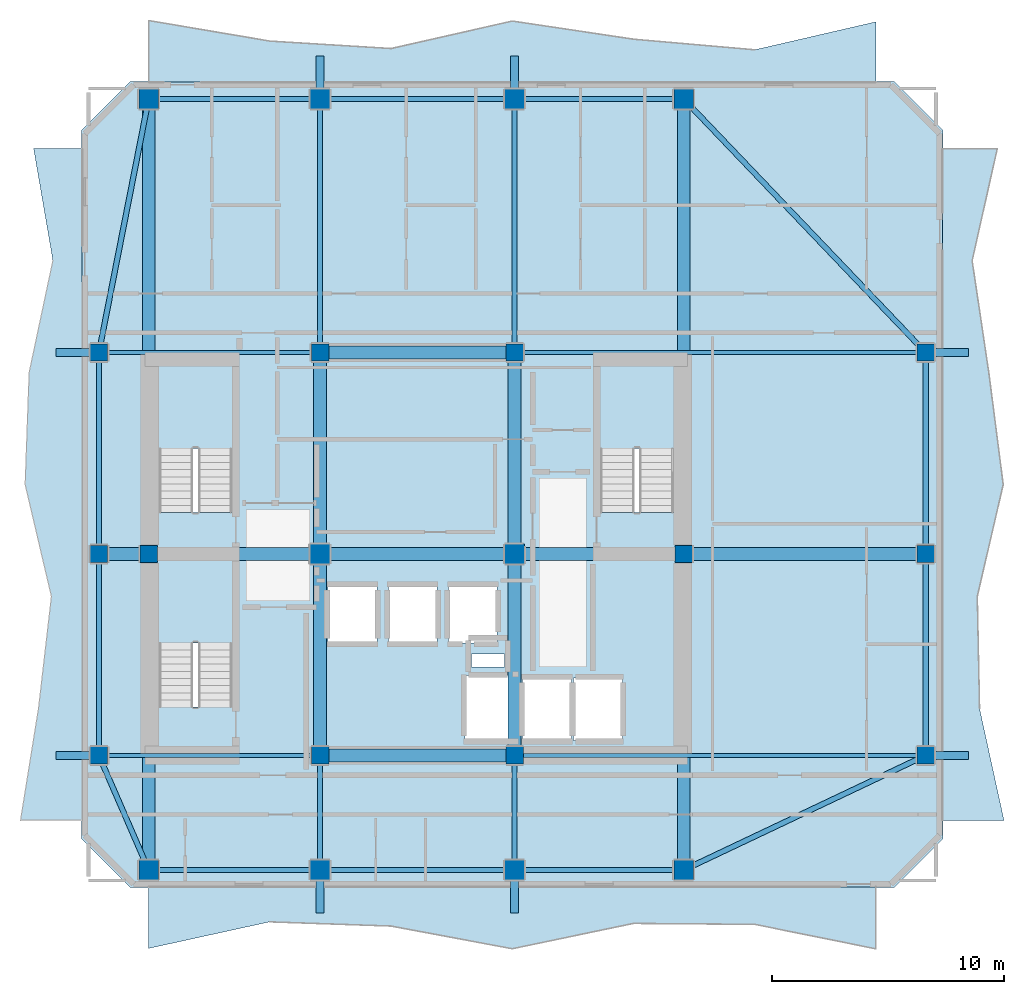
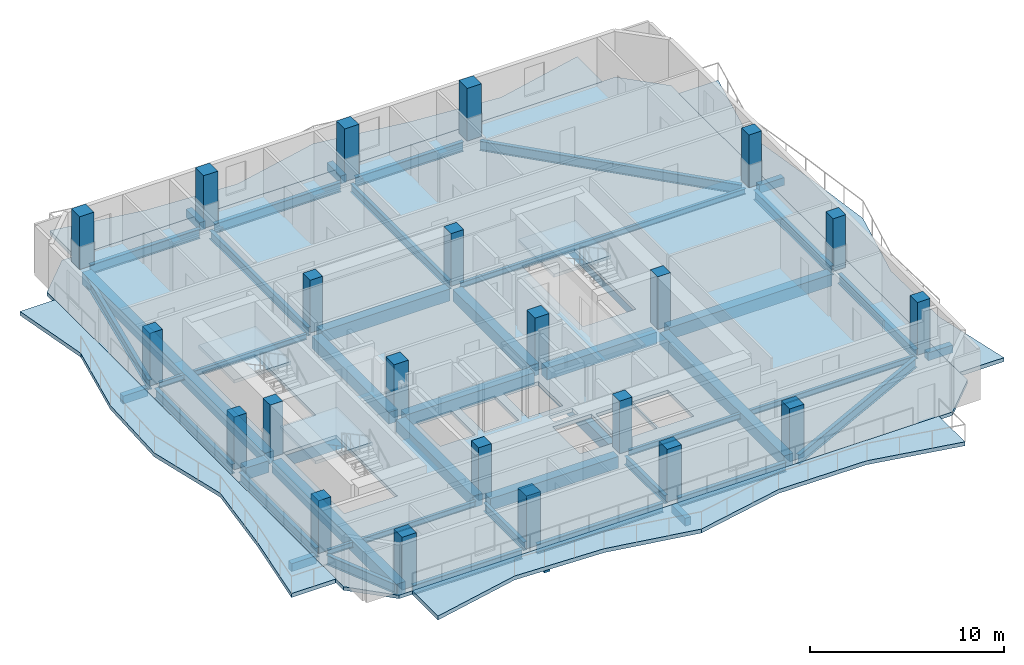
# One storey, part 1 of 9: 45 beams, 22 columns, 8 slabs, 3 elements without a shape of their own.
"""IFC4 building model written with IfcOpenShell, lengths in metres."""

from ifc_helpers import new_model, si_unit, direction, frame, origin, origin_2d, place, context, subcontext, project, spatial, polyline, rectangle, i_section, outline, extrude, material, layer, layer_set, material_profile, profile_set, type_object, element, aggregate, save


model = new_model("IFC4")

# Units and contexts
model_context = context("Model", 3, precision=1e-05, world=origin(), true_north=direction((0.0, 1.0)))
body_context = subcontext(model_context, "Body", "Model", "MODEL_VIEW")
ifc_project = project(units=[si_unit("LENGTHUNIT", "METRE"), si_unit("AREAUNIT", "SQUARE_METRE"), si_unit("VOLUMEUNIT", "CUBIC_METRE"), si_unit("PLANEANGLEUNIT", "RADIAN"), si_unit("MASSUNIT", "GRAM", prefix="KILO")], contexts=[model_context])

# Site, building, storey
site_placement = place(None, origin())
site = spatial("IfcSite", under=ifc_project, at=site_placement, CompositionType="ELEMENT")
building_placement = place(site_placement, origin())
building = spatial("IfcBuilding", under=site, at=building_placement, Name="Solanera Arch Residences", CompositionType="ELEMENT")
storey_placement = place(building_placement, frame((0.0, 0.0, 244.56005859375)))
storey = spatial("IfcBuildingStorey", under=building, at=storey_placement, Name="L71", CompositionType="ELEMENT", Elevation=244.56005859375)

# Columns
ifc_material_1 = material(Name="Concrete C40/50 (f'c = 45 MPa)", Category="concrete")
ifc_material_profile_1 = material_profile(ifc_material_1, rectangle(XDim=0.75, YDim=0.75, at=origin_2d()))
ifc_profile_set_1 = profile_set([ifc_material_profile_1], Name="Concrete C40/50 (f'c = 45 MPa)")
column_type_1 = type_object("IfcColumnType", Name="Structural Column RC-COL-750X750", PredefinedType="COLUMN", material=ifc_profile_set_1)
for number, where, z_axis, x_axis, name in (
    (1, (20.800048828125, 22.0, 0.0), (0.0, 0.0, 1.0), (1.0, 0.0, 0.0), "COL-L71-CB-SW"),
    (2, (29.199951171875, 22.0, 0.0), (0.0, 0.0, 1.0), (1.0, 0.0, 0.0), "COL-L71-CB-SE"),
    (3, (20.800048828125, 39.39990234375, 0.0), (0.0, 0.0, 1.0), (1.0, 0.0, 0.0), "COL-L71-CB-NW"),
    (4, (29.199951171875, 39.39990234375, 0.0), (0.0, 0.0, 1.0), (1.0, 0.0, 0.0), "COL-L71-CB-NE"),
    (5, (13.39990234375, 30.699951171875, 0.0), (0.0, 0.0, 1.0), (1.0, 0.0, 0.0), "COL-L71-CB-WW"),
    (6, (36.5, 30.699951171875, 0.0), (0.0, 0.0, 1.0), (1.0, 0.0, 0.0), "COL-L71-CB-EE"),
    (7, (11.25, 22.0, 0.0), (0.0, 0.0, 1.0), (1.0, 0.0, 0.0), "COL-L71-TWR-09"),
    (8, (46.949951171875, 22.0, 0.0), (0.0, 0.0, 1.0), (1.0, 0.0, 0.0), "COL-L71-TWR-10"),
    (9, (11.25, 30.699951171875, 0.0), (0.0, 0.0, 1.0), (1.0, 0.0, 0.0), "COL-L71-TWR-11"),
    (10, (46.949951171875, 30.699951171875, 0.0), (0.0, 0.0, 1.0), (1.0, 0.0, 0.0), "COL-L71-TWR-12"),
    (11, (11.25, 39.39990234375, 0.0), (0.0, 0.0, 1.0), (1.0, 0.0, 0.0), "COL-L71-TWR-13"),
    (12, (46.949951171875, 39.39990234375, 0.0), (0.0, 0.0, 1.0), (1.0, 0.0, 0.0), "COL-L71-TWR-14"),
):
    element("IfcColumn", number, at=place(storey_placement, frame(where, z_axis=z_axis, x_axis=x_axis)), inside=storey, type_object=column_type_1, Name=name, PredefinedType="COLUMN", context=body_context, shape_type="SweptSolid", body=[
        extrude(rectangle(XDim=0.75, YDim=0.75, at=origin_2d()), origin(), (0.0, 0.0, 1.0), 3.31982421875),
    ])
ifc_material_2 = material(Name="Concrete C40/50 (f'c = 45 MPa)", Category="concrete")
ifc_material_profile_2 = material_profile(ifc_material_2, rectangle(XDim=0.85009765625, YDim=0.85009765625, at=origin_2d()))
ifc_profile_set_2 = profile_set([ifc_material_profile_2], Name="Concrete C40/50 (f'c = 45 MPa)")
column_type_2 = type_object("IfcColumnType", Name="Structural Column RC-COL-850X850", PredefinedType="COLUMN", material=ifc_profile_set_2)
for number, where, z_axis, x_axis, name in (
    (13, (20.800048828125, 30.699951171875, 0.0), (0.0, 0.0, 1.0), (1.0, 0.0, 0.0), "COL-L71-CORE-W"),
    (14, (29.199951171875, 30.699951171875, 0.0), (0.0, 0.0, 1.0), (1.0, 0.0, 0.0), "COL-L71-CORE-E"),
    (15, (13.39990234375, 17.050048828125, 0.0), (0.0, 0.0, 1.0), (1.0, 0.0, 0.0), "COL-L71-TWR-01"),
    (16, (13.39990234375, 50.35009765625, 0.0), (0.0, 0.0, 1.0), (1.0, 0.0, 0.0), "COL-L71-TWR-02"),
    (17, (20.800048828125, 17.050048828125, 0.0), (0.0, 0.0, 1.0), (1.0, 0.0, 0.0), "COL-L71-TWR-03"),
    (18, (20.800048828125, 50.35009765625, 0.0), (0.0, 0.0, 1.0), (1.0, 0.0, 0.0), "COL-L71-TWR-04"),
    (19, (29.199951171875, 17.050048828125, 0.0), (0.0, 0.0, 1.0), (1.0, 0.0, 0.0), "COL-L71-TWR-05"),
    (20, (29.199951171875, 50.35009765625, 0.0), (0.0, 0.0, 1.0), (1.0, 0.0, 0.0), "COL-L71-TWR-06"),
    (21, (36.5, 17.050048828125, 0.0), (0.0, 0.0, 1.0), (1.0, 0.0, 0.0), "COL-L71-TWR-07"),
    (22, (36.5, 50.35009765625, 0.0), (0.0, 0.0, 1.0), (1.0, 0.0, 0.0), "COL-L71-TWR-08"),
):
    element("IfcColumn", number, at=place(storey_placement, frame(where, z_axis=z_axis, x_axis=x_axis)), inside=storey, type_object=column_type_2, Name=name, PredefinedType="COLUMN", context=body_context, shape_type="SweptSolid", body=[
        extrude(rectangle(XDim=0.85009765625, YDim=0.85009765625, at=origin_2d()), origin(), (0.0, 0.0, 1.0), 3.31982421875),
    ])

# Beams
ifc_material_3 = material(Name="Concrete C40/50 (f'c = 45 MPa)", Category="concrete")
ifc_material_profile_3 = material_profile(ifc_material_3, rectangle(XDim=0.35009765625, YDim=0.5, at=origin_2d()))
ifc_profile_set_3 = profile_set([ifc_material_profile_3], Name="Concrete C40/50 (f'c = 45 MPa)")
beam_type_1 = type_object("IfcBeamType", Name="BM-BALC-RIB", PredefinedType="BEAM", material=ifc_profile_set_3)
for number, where, z_axis, x_axis, name in (
    (23, (20.800048828125, 15.199951171875, -0.5), (0.0, 1.0, 0.0), (-1.0, 0.0, 0.0), "BM-L71-BRIB-S1"),
    (24, (29.199951171875, 15.199951171875, -0.5), (0.0, 1.0, 0.0), (-1.0, 0.0, 0.0), "BM-L71-BRIB-S2"),
    (25, (20.800048828125, 50.77490234375, -0.5), (0.0, 1.0, 0.0), (-1.0, 0.0, 0.0), "BM-L71-BRIB-N1"),
    (26, (29.199951171875, 50.77490234375, -0.5), (0.0, 1.0, 0.0), (-1.0, 0.0, 0.0), "BM-L71-BRIB-N2"),
):
    element("IfcBeam", number, at=place(storey_placement, frame(where, z_axis=z_axis, x_axis=x_axis)), inside=storey, type_object=beam_type_1, Name=name, PredefinedType="BEAM", context=body_context, shape_type="SweptSolid", body=[
        extrude(rectangle(XDim=0.35009765625, YDim=0.5, at=origin_2d()), origin(), (0.0, 0.0, 1.0), 1.425048828125),
    ])
for number, where, z_axis, x_axis, name in (
    (27, (47.324951171875, 22.0, -0.5), (1.0, 0.0, 0.0), (0.0, 1.0, 0.0), "BM-L71-BRIB-E1"),
    (28, (47.324951171875, 39.39990234375, -0.5), (1.0, 0.0, 0.0), (0.0, 1.0, 0.0), "BM-L71-BRIB-E2"),
    (29, (9.39990234375, 22.0, -0.5), (1.0, 0.0, 0.0), (0.0, 1.0, 0.0), "BM-L71-BRIB-W1"),
    (30, (9.39990234375, 39.39990234375, -0.5), (1.0, 0.0, 0.0), (0.0, 1.0, 0.0), "BM-L71-BRIB-W2"),
):
    element("IfcBeam", number, at=place(storey_placement, frame(where, z_axis=z_axis, x_axis=x_axis)), inside=storey, type_object=beam_type_1, Name=name, PredefinedType="BEAM", context=body_context, shape_type="SweptSolid", body=[
        extrude(rectangle(XDim=0.35009765625, YDim=0.5, at=origin_2d()), origin(), (0.0, 0.0, 1.0), 1.47509765625),
    ])
ifc_material_4 = material(Name="Steel S355 (ASTM A992 / A572 Grade 50)", Category="steel")
ifc_material_profile_4 = material_profile(ifc_material_4, i_section(OverallWidth=0.208984375, OverallDepth=0.532958984375, WebThickness=0.01025390625, FlangeThickness=0.015625, at=origin_2d()))
ifc_profile_set_4 = profile_set([ifc_material_profile_4], Name="Steel S355 (ASTM A992 / A572 Grade 50)")
beam_type_2 = type_object("IfcBeamType", Name="Floor Beam W530X92", PredefinedType="BEAM", material=ifc_profile_set_4)
beam_1_placement = place(storey_placement, frame((20.800048828125, 17.47900390625, -0.487060546875), z_axis=(0.0, 1.0, 0.0), x_axis=(-1.0, 0.0, 0.0)))
element("IfcBeam", 31, at=beam_1_placement, inside=storey, type_object=beam_type_2, Name="BM-L71-RAD-S-208", PredefinedType="BEAM", context=body_context, shape_type="SweptSolid", body=[
    extrude(i_section(OverallWidth=0.208984375, OverallDepth=0.532958984375, WebThickness=0.01025390625, FlangeThickness=0.015625, at=origin_2d()), origin(), (0.0, 0.0, 1.0), 4.14208984375),
])
beam_2_placement = place(storey_placement, frame((20.800048828125, 39.779052734375, -0.487060546875), z_axis=(0.0, 1.0, 0.0), x_axis=(-1.0, 0.0, 0.0)))
element("IfcBeam", 32, at=beam_2_placement, inside=storey, type_object=beam_type_2, Name="BM-L71-RAD-N-208", PredefinedType="BEAM", context=body_context, shape_type="SweptSolid", body=[
    extrude(i_section(OverallWidth=0.208984375, OverallDepth=0.532958984375, WebThickness=0.01025390625, FlangeThickness=0.015625, at=origin_2d()), origin(), (0.0, 0.0, 1.0), 10.141845703125),
])
beam_3_placement = place(storey_placement, frame((29.199951171875, 17.47900390625, -0.487060546875), z_axis=(0.0, 1.0, 0.0), x_axis=(-1.0, 0.0, 0.0)))
element("IfcBeam", 33, at=beam_3_placement, inside=storey, type_object=beam_type_2, Name="BM-L71-RAD-S-292", PredefinedType="BEAM", context=body_context, shape_type="SweptSolid", body=[
    extrude(i_section(OverallWidth=0.208984375, OverallDepth=0.532958984375, WebThickness=0.01025390625, FlangeThickness=0.015625, at=origin_2d()), origin(), (0.0, 0.0, 1.0), 4.14208984375),
])
beam_4_placement = place(storey_placement, frame((29.199951171875, 39.779052734375, -0.487060546875), z_axis=(0.0, 1.0, 0.0), x_axis=(-1.0, 0.0, 0.0)))
element("IfcBeam", 34, at=beam_4_placement, inside=storey, type_object=beam_type_2, Name="BM-L71-RAD-N-292", PredefinedType="BEAM", context=body_context, shape_type="SweptSolid", body=[
    extrude(i_section(OverallWidth=0.208984375, OverallDepth=0.532958984375, WebThickness=0.01025390625, FlangeThickness=0.015625, at=origin_2d()), origin(), (0.0, 0.0, 1.0), 10.141845703125),
])
ifc_material_5 = material(Name="Concrete C40/50 (f'c = 45 MPa)", Category="concrete")
ifc_material_profile_5 = material_profile(ifc_material_5, rectangle(XDim=0.550048828125, YDim=0.75, at=origin_2d()))
ifc_profile_set_5 = profile_set([ifc_material_profile_5], Name="Concrete C40/50 (f'c = 45 MPa)")
beam_type_3 = type_object("IfcBeamType", Name="Primary Beam RC-BM-550X750", PredefinedType="BEAM", material=ifc_profile_set_5)
beam_5_placement = place(storey_placement, frame((20.800048828125, 22.37890625, -0.594970703125), z_axis=(0.0, 1.0, 0.0), x_axis=(-1.0, 0.0, 0.0)))
element("IfcBeam", 35, at=beam_5_placement, inside=storey, type_object=beam_type_3, Name="BM-L71-CC-S-208", PredefinedType="BEAM", context=body_context, shape_type="SweptSolid", body=[
    extrude(rectangle(XDim=0.550048828125, YDim=0.75, at=origin_2d()), origin(), (0.0, 0.0, 1.0), 7.942138671875),
])
beam_6_placement = place(storey_placement, frame((20.800048828125, 31.0791015625, -0.594970703125), z_axis=(0.0, 1.0, 0.0), x_axis=(-1.0, 0.0, 0.0)))
element("IfcBeam", 36, at=beam_6_placement, inside=storey, type_object=beam_type_3, Name="BM-L71-CC-N-208", PredefinedType="BEAM", context=body_context, shape_type="SweptSolid", body=[
    extrude(rectangle(XDim=0.550048828125, YDim=0.75, at=origin_2d()), origin(), (0.0, 0.0, 1.0), 7.94189453125),
])
beam_7_placement = place(storey_placement, frame((29.199951171875, 22.37890625, -0.594970703125), z_axis=(0.0, 1.0, 0.0), x_axis=(-1.0, 0.0, 0.0)))
element("IfcBeam", 37, at=beam_7_placement, inside=storey, type_object=beam_type_3, Name="BM-L71-CC-S-292", PredefinedType="BEAM", context=body_context, shape_type="SweptSolid", body=[
    extrude(rectangle(XDim=0.550048828125, YDim=0.75, at=origin_2d()), origin(), (0.0, 0.0, 1.0), 7.942138671875),
])
beam_8_placement = place(storey_placement, frame((29.199951171875, 31.0791015625, -0.594970703125), z_axis=(0.0, 1.0, 0.0), x_axis=(-1.0, 0.0, 0.0)))
element("IfcBeam", 38, at=beam_8_placement, inside=storey, type_object=beam_type_3, Name="BM-L71-CC-N-292", PredefinedType="BEAM", context=body_context, shape_type="SweptSolid", body=[
    extrude(rectangle(XDim=0.550048828125, YDim=0.75, at=origin_2d()), origin(), (0.0, 0.0, 1.0), 7.94189453125),
])
for number, where, z_axis, x_axis, name in (
    (39, (21.178955078125, 22.0, -0.594970703125), (1.0, 0.0, 0.0), (0.0, 1.0, 0.0), "BM-L71-CC-M-220"),
    (40, (21.178955078125, 30.699951171875, -0.594970703125), (1.0, 0.0, 0.0), (0.0, 1.0, 0.0), "BM-L71-CC-M-307"),
    (41, (21.178955078125, 39.39990234375, -0.594970703125), (1.0, 0.0, 0.0), (0.0, 1.0, 0.0), "BM-L71-CC-M-394"),
):
    element("IfcBeam", number, at=place(storey_placement, frame(where, z_axis=z_axis, x_axis=x_axis)), inside=storey, type_object=beam_type_3, Name=name, PredefinedType="BEAM", context=body_context, shape_type="SweptSolid", body=[
        extrude(rectangle(XDim=0.550048828125, YDim=0.75, at=origin_2d()), origin(), (0.0, 0.0, 1.0), 7.64208984375),
    ])
beam_9_placement = place(storey_placement, frame((13.779052734375, 30.699951171875, -0.594970703125), z_axis=(1.0, 0.0, 0.0), x_axis=(0.0, 1.0, 0.0)))
element("IfcBeam", 42, at=beam_9_placement, inside=storey, type_object=beam_type_3, Name="BM-L71-CC-W", PredefinedType="BEAM", context=body_context, shape_type="SweptSolid", body=[
    extrude(rectangle(XDim=0.550048828125, YDim=0.75, at=origin_2d()), origin(), (0.0, 0.0, 1.0), 6.641845703125),
])
beam_10_placement = place(storey_placement, frame((29.5791015625, 30.699951171875, -0.594970703125), z_axis=(1.0, 0.0, 0.0), x_axis=(0.0, 1.0, 0.0)))
element("IfcBeam", 43, at=beam_10_placement, inside=storey, type_object=beam_type_3, Name="BM-L71-CC-E", PredefinedType="BEAM", context=body_context, shape_type="SweptSolid", body=[
    extrude(rectangle(XDim=0.550048828125, YDim=0.75, at=origin_2d()), origin(), (0.0, 0.0, 1.0), 6.5419921875),
])
beam_11_placement = place(storey_placement, frame((13.39990234375, 17.47900390625, -0.594970703125), z_axis=(0.0, 1.0, 0.0), x_axis=(-1.0, 0.0, 0.0)))
element("IfcBeam", 44, at=beam_11_placement, inside=storey, type_object=beam_type_3, Name="BM-L71-RAD-OS-134", PredefinedType="BEAM", context=body_context, shape_type="SweptSolid", body=[
    extrude(rectangle(XDim=0.550048828125, YDim=0.75, at=origin_2d()), origin(), (0.0, 0.0, 1.0), 12.842041015625),
])
beam_12_placement = place(storey_placement, frame((13.39990234375, 31.0791015625, -0.594970703125), z_axis=(0.0, 1.0, 0.0), x_axis=(-1.0, 0.0, 0.0)))
element("IfcBeam", 45, at=beam_12_placement, inside=storey, type_object=beam_type_3, Name="BM-L71-RAD-ON-134", PredefinedType="BEAM", context=body_context, shape_type="SweptSolid", body=[
    extrude(rectangle(XDim=0.550048828125, YDim=0.75, at=origin_2d()), origin(), (0.0, 0.0, 1.0), 18.841796875),
])
beam_13_placement = place(storey_placement, frame((36.5, 17.47900390625, -0.594970703125), z_axis=(0.0, 1.0, 0.0), x_axis=(-1.0, 0.0, 0.0)))
element("IfcBeam", 46, at=beam_13_placement, inside=storey, type_object=beam_type_3, Name="BM-L71-RAD-OS-365", PredefinedType="BEAM", context=body_context, shape_type="SweptSolid", body=[
    extrude(rectangle(XDim=0.550048828125, YDim=0.75, at=origin_2d()), origin(), (0.0, 0.0, 1.0), 12.842041015625),
])
beam_14_placement = place(storey_placement, frame((36.5, 31.0791015625, -0.594970703125), z_axis=(0.0, 1.0, 0.0), x_axis=(-1.0, 0.0, 0.0)))
element("IfcBeam", 47, at=beam_14_placement, inside=storey, type_object=beam_type_3, Name="BM-L71-RAD-ON-365", PredefinedType="BEAM", context=body_context, shape_type="SweptSolid", body=[
    extrude(rectangle(XDim=0.550048828125, YDim=0.75, at=origin_2d()), origin(), (0.0, 0.0, 1.0), 18.841796875),
])
beam_15_placement = place(storey_placement, frame((11.62890625, 30.699951171875, -0.594970703125), z_axis=(1.0, 0.0, 0.0), x_axis=(0.0, 1.0, 0.0)))
element("IfcBeam", 48, at=beam_15_placement, inside=storey, type_object=beam_type_3, Name="BM-L71-RAD-MW", PredefinedType="BEAM", context=body_context, shape_type="SweptSolid", body=[
    extrude(rectangle(XDim=0.550048828125, YDim=0.75, at=origin_2d()), origin(), (0.0, 0.0, 1.0), 1.39208984375),
])
beam_16_placement = place(storey_placement, frame((36.87890625, 30.699951171875, -0.594970703125), z_axis=(1.0, 0.0, 0.0), x_axis=(0.0, 1.0, 0.0)))
element("IfcBeam", 49, at=beam_16_placement, inside=storey, type_object=beam_type_3, Name="BM-L71-RAD-ME", PredefinedType="BEAM", context=body_context, shape_type="SweptSolid", body=[
    extrude(rectangle(XDim=0.550048828125, YDim=0.75, at=origin_2d()), origin(), (0.0, 0.0, 1.0), 9.692138671875),
])
ifc_material_6 = material(Name="Steel S355 (ASTM A992 / A572 Grade 50)", Category="steel")
ifc_material_profile_6 = material_profile(ifc_material_6, i_section(OverallWidth=0.172119140625, OverallDepth=0.35791015625, WebThickness=0.0078125, FlangeThickness=0.01318359375, at=origin_2d()))
ifc_profile_set_6 = profile_set([ifc_material_profile_6], Name="Steel S355 (ASTM A992 / A572 Grade 50)")
beam_type_4 = type_object("IfcBeamType", Name="Secondary Joist W360X57.8", PredefinedType="JOIST", material=ifc_profile_set_6)
beam_17_placement = place(storey_placement, frame((11.62890625, 22.0, -0.399169921875), z_axis=(1.0, 0.0, 0.0), x_axis=(0.0, 1.0, 0.0)))
element("IfcBeam", 50, at=beam_17_placement, inside=storey, type_object=beam_type_4, Name="BM-L71-RAD-W-220", PredefinedType="JOIST", context=body_context, shape_type="SweptSolid", body=[
    extrude(i_section(OverallWidth=0.172119140625, OverallDepth=0.35791015625, WebThickness=0.0078125, FlangeThickness=0.01318359375, at=origin_2d()), origin(), (0.0, 0.0, 1.0), 8.7919921875),
])
beam_18_placement = place(storey_placement, frame((29.5791015625, 22.0, -0.399169921875), z_axis=(1.0, 0.0, 0.0), x_axis=(0.0, 1.0, 0.0)))
element("IfcBeam", 51, at=beam_18_placement, inside=storey, type_object=beam_type_4, Name="BM-L71-RAD-E-220", PredefinedType="JOIST", context=body_context, shape_type="SweptSolid", body=[
    extrude(i_section(OverallWidth=0.172119140625, OverallDepth=0.35791015625, WebThickness=0.0078125, FlangeThickness=0.01318359375, at=origin_2d()), origin(), (0.0, 0.0, 1.0), 16.991943359375),
])
beam_19_placement = place(storey_placement, frame((11.62890625, 39.39990234375, -0.399169921875), z_axis=(1.0, 0.0, 0.0), x_axis=(0.0, 1.0, 0.0)))
element("IfcBeam", 52, at=beam_19_placement, inside=storey, type_object=beam_type_4, Name="BM-L71-RAD-W-394", PredefinedType="JOIST", context=body_context, shape_type="SweptSolid", body=[
    extrude(i_section(OverallWidth=0.172119140625, OverallDepth=0.35791015625, WebThickness=0.0078125, FlangeThickness=0.01318359375, at=origin_2d()), origin(), (0.0, 0.0, 1.0), 8.7919921875),
])
beam_20_placement = place(storey_placement, frame((29.5791015625, 39.39990234375, -0.399169921875), z_axis=(1.0, 0.0, 0.0), x_axis=(0.0, 1.0, 0.0)))
element("IfcBeam", 53, at=beam_20_placement, inside=storey, type_object=beam_type_4, Name="BM-L71-RAD-E-394", PredefinedType="JOIST", context=body_context, shape_type="SweptSolid", body=[
    extrude(i_section(OverallWidth=0.172119140625, OverallDepth=0.35791015625, WebThickness=0.0078125, FlangeThickness=0.01318359375, at=origin_2d()), origin(), (0.0, 0.0, 1.0), 16.991943359375),
])
ifc_material_7 = material(Name="Steel S355 (ASTM A992 / A572 Grade 50)", Category="steel")
ifc_material_profile_7 = material_profile(ifc_material_7, i_section(OverallWidth=0.22802734375, OverallDepth=0.60791015625, WebThickness=0.01123046875, FlangeThickness=0.017333984375, at=origin_2d()))
ifc_profile_set_7 = profile_set([ifc_material_profile_7], Name="Steel S355 (ASTM A992 / A572 Grade 50)")
beam_type_5 = type_object("IfcBeamType", Name="Spandrel Beam W610X113", PredefinedType="SPANDREL", material=ifc_profile_set_7)
for number, where, z_axis, x_axis, name in (
    (54, (13.8291015625, 17.050048828125, -0.524169921875), (1.0, 0.0, 0.0), (0.0, 1.0, 0.0), "BM-L71-SPN-S-1"),
    (55, (13.8291015625, 50.35009765625, -0.524169921875), (1.0, 0.0, 0.0), (0.0, 1.0, 0.0), "BM-L71-SPN-N-1"),
):
    element("IfcBeam", number, at=place(storey_placement, frame(where, z_axis=z_axis, x_axis=x_axis)), inside=storey, type_object=beam_type_5, Name=name, PredefinedType="SPANDREL", context=body_context, shape_type="SweptSolid", body=[
        extrude(i_section(OverallWidth=0.22802734375, OverallDepth=0.60791015625, WebThickness=0.01123046875, FlangeThickness=0.017333984375, at=origin_2d()), origin(), (0.0, 0.0, 1.0), 6.5419921875),
    ])
for number, where, z_axis, x_axis, name in (
    (56, (21.22900390625, 17.050048828125, -0.524169921875), (1.0, 0.0, 0.0), (0.0, 1.0, 0.0), "BM-L71-SPN-S-2"),
    (57, (21.22900390625, 50.35009765625, -0.524169921875), (1.0, 0.0, 0.0), (0.0, 1.0, 0.0), "BM-L71-SPN-N-2"),
):
    element("IfcBeam", number, at=place(storey_placement, frame(where, z_axis=z_axis, x_axis=x_axis)), inside=storey, type_object=beam_type_5, Name=name, PredefinedType="SPANDREL", context=body_context, shape_type="SweptSolid", body=[
        extrude(i_section(OverallWidth=0.22802734375, OverallDepth=0.60791015625, WebThickness=0.01123046875, FlangeThickness=0.017333984375, at=origin_2d()), origin(), (0.0, 0.0, 1.0), 7.5419921875),
    ])
for number, where, z_axis, x_axis, name in (
    (58, (29.62890625, 17.050048828125, -0.524169921875), (1.0, 0.0, 0.0), (0.0, 1.0, 0.0), "BM-L71-SPN-S-3"),
    (59, (29.62890625, 50.35009765625, -0.524169921875), (1.0, 0.0, 0.0), (0.0, 1.0, 0.0), "BM-L71-SPN-N-3"),
):
    element("IfcBeam", number, at=place(storey_placement, frame(where, z_axis=z_axis, x_axis=x_axis)), inside=storey, type_object=beam_type_5, Name=name, PredefinedType="SPANDREL", context=body_context, shape_type="SweptSolid", body=[
        extrude(i_section(OverallWidth=0.22802734375, OverallDepth=0.60791015625, WebThickness=0.01123046875, FlangeThickness=0.017333984375, at=origin_2d()), origin(), (0.0, 0.0, 1.0), 6.442138671875),
    ])
for number, where, z_axis, x_axis, name in (
    (60, (11.25, 22.37890625, -0.524169921875), (0.0, 1.0, 0.0), (-1.0, 0.0, 0.0), "BM-L71-SPN-W-1"),
    (61, (46.949951171875, 22.37890625, -0.524169921875), (0.0, 1.0, 0.0), (-1.0, 0.0, 0.0), "BM-L71-SPN-E-1"),
):
    element("IfcBeam", number, at=place(storey_placement, frame(where, z_axis=z_axis, x_axis=x_axis)), inside=storey, type_object=beam_type_5, Name=name, PredefinedType="SPANDREL", context=body_context, shape_type="SweptSolid", body=[
        extrude(i_section(OverallWidth=0.22802734375, OverallDepth=0.60791015625, WebThickness=0.01123046875, FlangeThickness=0.017333984375, at=origin_2d()), origin(), (0.0, 0.0, 1.0), 7.942138671875),
    ])
for number, where, z_axis, x_axis, name in (
    (62, (11.25, 31.0791015625, -0.524169921875), (0.0, 1.0, 0.0), (-1.0, 0.0, 0.0), "BM-L71-SPN-W-2"),
    (63, (46.949951171875, 31.0791015625, -0.524169921875), (0.0, 1.0, 0.0), (-1.0, 0.0, 0.0), "BM-L71-SPN-E-2"),
):
    element("IfcBeam", number, at=place(storey_placement, frame(where, z_axis=z_axis, x_axis=x_axis)), inside=storey, type_object=beam_type_5, Name=name, PredefinedType="SPANDREL", context=body_context, shape_type="SweptSolid", body=[
        extrude(i_section(OverallWidth=0.22802734375, OverallDepth=0.60791015625, WebThickness=0.01123046875, FlangeThickness=0.017333984375, at=origin_2d()), origin(), (0.0, 0.0, 1.0), 7.94189453125),
    ])
beam_21_placement = place(storey_placement, frame((13.214111328125, 17.47900390625, -0.524169921875), z_axis=(-0.398565995426, 0.917139655282, 0.0), x_axis=(-0.917139655282, -0.398565995426, 0.0)))
element("IfcBeam", 64, at=beam_21_placement, inside=storey, type_object=beam_type_5, Name="BM-L71-SPN-SW", PredefinedType="SPANDREL", context=body_context, shape_type="SweptSolid", body=[
    extrude(i_section(OverallWidth=0.22802734375, OverallDepth=0.60791015625, WebThickness=0.01123046875, FlangeThickness=0.017333984375, at=origin_2d()), origin(), (0.0, 0.0, 1.0), 4.516357421875),
])
beam_22_placement = place(storey_placement, frame((13.31591796875, 49.9208984375, -0.524169921875), z_axis=(-0.192726215486, -0.981252569864, 0.0), x_axis=(0.981252569864, -0.192726215486, 0.0)))
element("IfcBeam", 65, at=beam_22_placement, inside=storey, type_object=beam_type_5, Name="BM-L71-SPN-NW", PredefinedType="SPANDREL", context=body_context, shape_type="SweptSolid", body=[
    extrude(i_section(OverallWidth=0.22802734375, OverallDepth=0.60791015625, WebThickness=0.01123046875, FlangeThickness=0.017333984375, at=origin_2d()), origin(), (0.0, 0.0, 1.0), 10.335693359375),
])
beam_23_placement = place(storey_placement, frame((36.928955078125, 17.2529296875, -0.524169921875), z_axis=(0.903708483395, 0.428148311967, 0.0), x_axis=(-0.428148311967, 0.903708483395, 0.0)))
element("IfcBeam", 66, at=beam_23_placement, inside=storey, type_object=beam_type_5, Name="BM-L71-SPN-SE", PredefinedType="SPANDREL", context=body_context, shape_type="SweptSolid", body=[
    extrude(i_section(OverallWidth=0.22802734375, OverallDepth=0.60791015625, WebThickness=0.01123046875, FlangeThickness=0.017333984375, at=origin_2d()), origin(), (0.0, 0.0, 1.0), 10.66943359375),
])
beam_24_placement = place(storey_placement, frame((36.873046875, 49.958984375, -0.524169921875), z_axis=(0.690398586327, -0.723429189346, 0.0), x_axis=(0.723429189346, 0.690398586327, 0.0)))
element("IfcBeam", 67, at=beam_24_placement, inside=storey, type_object=beam_type_5, Name="BM-L71-SPN-NE", PredefinedType="SPANDREL", context=body_context, shape_type="SweptSolid", body=[
    extrude(i_section(OverallWidth=0.22802734375, OverallDepth=0.60791015625, WebThickness=0.01123046875, FlangeThickness=0.017333984375, at=origin_2d()), origin(), (0.0, 0.0, 1.0), 14.0732421875),
])

# Slabs
ifc_material_8 = material(Name="Concrete C40/50 (f'c = 45 MPa)", Category="concrete")
ifc_layer_1 = layer(ifc_material_8, 0.25)
ifc_layer_set_1 = layer_set([ifc_layer_1], Name="Concrete C40/50 (f'c = 45 MPa)")
slab_type_1 = type_object("IfcSlabType", Name="Balcony Slab 250", PredefinedType="FLOOR", material=ifc_layer_set_1)
slab_1_placement = place(storey_placement, frame((0.0, 0.0, -0.25)))
element("IfcSlab", 68, at=slab_1_placement, inside=storey, type_object=slab_type_1, Name="L71 S Rippling Brise-Soleil Balcony Slab", PredefinedType="FLOOR", context=body_context, shape_type="SweptSolid", body=[
    extrude(outline(polyline([(13.39990234375, 13.666015625), (18.633056640625, 14.81396484375), (23.866943359375, 14.632080078125), (29.10009765625, 13.653076171875), (34.3330078125, 14.7470703125), (39.56689453125, 14.70703125), (44.800048828125, 13.64990234375), (44.800048828125, 16.320068359375), (13.39990234375, 16.320068359375), (13.39990234375, 13.666015625)])), origin(), (0.0, 0.0, 1.0), 0.25),
])
slab_2_placement = place(storey_placement, frame((0.0, 0.0, -0.25)))
element("IfcSlab", 69, at=slab_2_placement, inside=storey, type_object=slab_type_1, Name="L71 N Rippling Brise-Soleil Balcony Slab", PredefinedType="FLOOR", context=body_context, shape_type="SweptSolid", body=[
    extrude(outline(polyline([(44.800048828125, 53.680908203125), (39.56689453125, 52.470947265625), (34.3330078125, 52.928955078125), (29.10009765625, 53.7119140625), (23.866943359375, 52.52490234375), (18.633056640625, 52.846923828125), (13.39990234375, 53.73388671875), (13.39990234375, 51.080078125), (44.800048828125, 51.080078125), (44.800048828125, 53.680908203125)])), origin(), (0.0, 0.0, 1.0), 0.25),
])
slab_3_placement = place(storey_placement, frame((0.0, 0.0, -0.25)))
element("IfcSlab", 70, at=slab_3_placement, inside=storey, type_object=slab_type_1, Name="L71 E Rippling Brise-Soleil Balcony Slab", PredefinedType="FLOOR", context=body_context, shape_type="SweptSolid", body=[
    extrude(outline(polyline([(50.333984375, 19.199951171875), (49.277099609375, 24.032958984375), (49.178955078125, 28.866943359375), (50.299072265625, 33.699951171875), (49.677001953125, 38.532958984375), (48.95703125, 43.366943359375), (50.0419921875, 48.199951171875), (47.679931640625, 48.199951171875), (47.679931640625, 19.199951171875), (50.333984375, 19.199951171875)])), origin(), (0.0, 0.0, 1.0), 0.25),
])
slab_4_placement = place(storey_placement, frame((0.0, 0.0, -0.25)))
element("IfcSlab", 71, at=slab_4_placement, inside=storey, type_object=slab_type_1, Name="L71 W Rippling Brise-Soleil Balcony Slab", PredefinedType="FLOOR", context=body_context, shape_type="SweptSolid", body=[
    extrude(outline(polyline([(8.430908203125, 48.199951171875), (9.262939453125, 43.366943359375), (8.238037109375, 38.532958984375), (8.06494140625, 33.699951171875), (9.200927734375, 28.866943359375), (8.64306640625, 24.032958984375), (7.865966796875, 19.199951171875), (10.52001953125, 19.199951171875), (10.52001953125, 48.199951171875), (8.430908203125, 48.199951171875)])), origin(), (0.0, 0.0, 1.0), 0.25),
])

# Stair, slab
ifc_material_9 = material(Name="Concrete C40/50 (f'c = 45 MPa)", Category="concrete")
stair_type = type_object("IfcStairType", Name="Tower Dogleg Exit Stair 1480", PredefinedType="HALF_TURN_STAIR", material=ifc_material_9)
stair_1_placement = place(storey_placement, origin())
stair_1 = element("IfcStair", 72, at=stair_1_placement, inside=storey, type_object=stair_type, Name="L71 Tower Core Exit Stair 1", PredefinedType="HALF_TURN_STAIR")
ifc_material_10 = material(Name="Concrete C40/50 (f'c = 45 MPa)", Category="concrete")
ifc_layer_2 = layer(ifc_material_10, 0.199951171875)
ifc_layer_set_2 = layer_set([ifc_layer_2], Name="Concrete C40/50 (f'c = 45 MPa)")
slab_type_2 = type_object("IfcSlabType", Name="Stair Half-Landing Slab 200", PredefinedType="LANDING", material=ifc_layer_set_2)
slab_5_placement = place(storey_placement, frame((0.0, 0.0, 1.4599609375)))
slab_5 = element("IfcSlab", 73, at=slab_5_placement, type_object=slab_type_2, Name="ST-T1 landing 1", PredefinedType="LANDING", context=body_context, shape_type="SweptSolid", body=[
    extrude(outline(polyline([(17.1201171875, 35.260009765625), (17.1201171875, 38.919921875), (13.719970703125, 38.919921875), (13.719970703125, 35.260009765625), (17.1201171875, 35.260009765625)])), origin(), (0.0, 0.0, 1.0), 0.199951171875),
])
aggregate(stair_1, [slab_5])

stair_2_placement = place(storey_placement, origin())
stair_2 = element("IfcStair", 74, at=stair_2_placement, inside=storey, type_object=stair_type, Name="L71 Tower Core Exit Stair 2", PredefinedType="HALF_TURN_STAIR")
slab_6_placement = place(storey_placement, frame((0.0, 0.0, 1.4599609375)))
slab_6 = element("IfcSlab", 75, at=slab_6_placement, type_object=slab_type_2, Name="ST-T2 landing 1", PredefinedType="LANDING", context=body_context, shape_type="SweptSolid", body=[
    extrude(outline(polyline([(36.179931640625, 35.260009765625), (36.179931640625, 38.919921875), (32.780029296875, 38.919921875), (32.780029296875, 35.260009765625), (36.179931640625, 35.260009765625)])), origin(), (0.0, 0.0, 1.0), 0.199951171875),
])
aggregate(stair_2, [slab_6])

stair_3_placement = place(storey_placement, origin())
stair_3 = element("IfcStair", 76, at=stair_3_placement, inside=storey, type_object=stair_type, Name="L71 Tower Core Exit Stair 3", PredefinedType="HALF_TURN_STAIR")
slab_7_placement = place(storey_placement, frame((0.0, 0.0, 1.4599609375)))
slab_7 = element("IfcSlab", 77, at=slab_7_placement, type_object=slab_type_2, Name="ST-T3 landing 1", PredefinedType="LANDING", context=body_context, shape_type="SweptSolid", body=[
    extrude(outline(polyline([(17.1201171875, 26.860107421875), (17.1201171875, 30.52001953125), (13.719970703125, 30.52001953125), (13.719970703125, 26.860107421875), (17.1201171875, 26.860107421875)])), origin(), (0.0, 0.0, 1.0), 0.199951171875),
])
aggregate(stair_3, [slab_7])

# Slab
ifc_material_11 = material(Name="Concrete C40/50 (f'c = 45 MPa)", Category="concrete")
ifc_layer_3 = layer(ifc_material_11, 0.219970703125)
ifc_layer_set_3 = layer_set([ifc_layer_3], Name="Concrete C40/50 (f'c = 45 MPa)")
slab_type_3 = type_object("IfcSlabType", Name="Suspended Floor Slab Post-Tensioned 220", PredefinedType="FLOOR", material=ifc_layer_set_3)
slab_8_placement = place(storey_placement, frame((0.0, 0.0, -0.219970703125)))
element("IfcSlab", 78, at=slab_8_placement, inside=storey, type_object=slab_type_3, Name="L71 Tower Post-Tensioned Floor Slab", PredefinedType="FLOOR", context=body_context, shape_type="SweptSolid", body=[
    extrude(outline(polyline([(12.60009765625, 16.300048828125), (45.60009765625, 16.300048828125), (47.699951171875, 18.39990234375), (47.699951171875, 49.0), (45.60009765625, 51.10009765625), (12.60009765625, 51.10009765625), (10.5, 49.0), (10.5, 18.39990234375), (12.60009765625, 16.300048828125)]), holes=[polyline([(13.840087890625, 32.48291015625), (13.840087890625, 38.800048828125), (17.0, 38.800048828125), (17.0, 32.48291015625), (13.840087890625, 32.48291015625)]), polyline([(32.89990234375, 32.48291015625), (32.89990234375, 38.800048828125), (36.06005859375, 38.800048828125), (36.06005859375, 32.48291015625), (32.89990234375, 32.48291015625)]), polyline([(13.840087890625, 24.0830078125), (13.840087890625, 30.39990234375), (17.0, 30.39990234375), (17.0, 24.0830078125), (13.840087890625, 24.0830078125)]), polyline([(21.14990234375, 29.35009765625), (23.25, 29.35009765625), (23.25, 26.85009765625), (21.14990234375, 26.85009765625), (21.14990234375, 29.35009765625)]), polyline([(23.75, 29.35009765625), (25.85009765625, 29.35009765625), (25.85009765625, 26.85009765625), (23.75, 26.85009765625), (23.75, 29.35009765625)]), polyline([(26.35009765625, 29.35009765625), (28.449951171875, 29.35009765625), (28.449951171875, 26.85009765625), (26.35009765625, 26.85009765625), (26.35009765625, 29.35009765625)]), polyline([(29.550048828125, 25.35009765625), (31.64990234375, 25.35009765625), (31.64990234375, 22.64990234375), (29.550048828125, 22.64990234375), (29.550048828125, 25.35009765625)]), polyline([(31.75, 25.35009765625), (33.85009765625, 25.35009765625), (33.85009765625, 22.64990234375), (31.75, 22.64990234375), (31.75, 25.35009765625)]), polyline([(27.050048828125, 25.449951171875), (29.35009765625, 25.449951171875), (29.35009765625, 22.64990234375), (27.050048828125, 22.64990234375), (27.050048828125, 25.449951171875)]), polyline([(27.340087890625, 26.3798828125), (28.760009765625, 26.3798828125), (28.760009765625, 25.820068359375), (27.340087890625, 25.820068359375), (27.340087890625, 26.3798828125)])]), origin(), (0.0, 0.0, 1.0), 0.219970703125),
])

save(model, "model.ifc")
